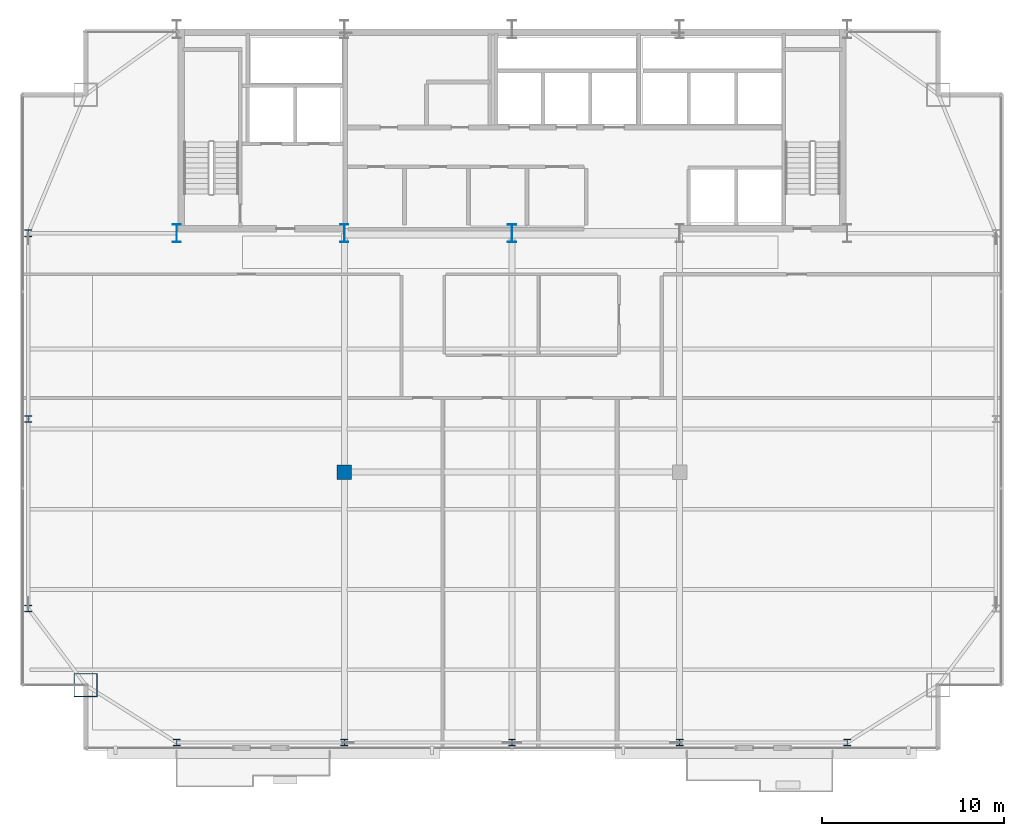
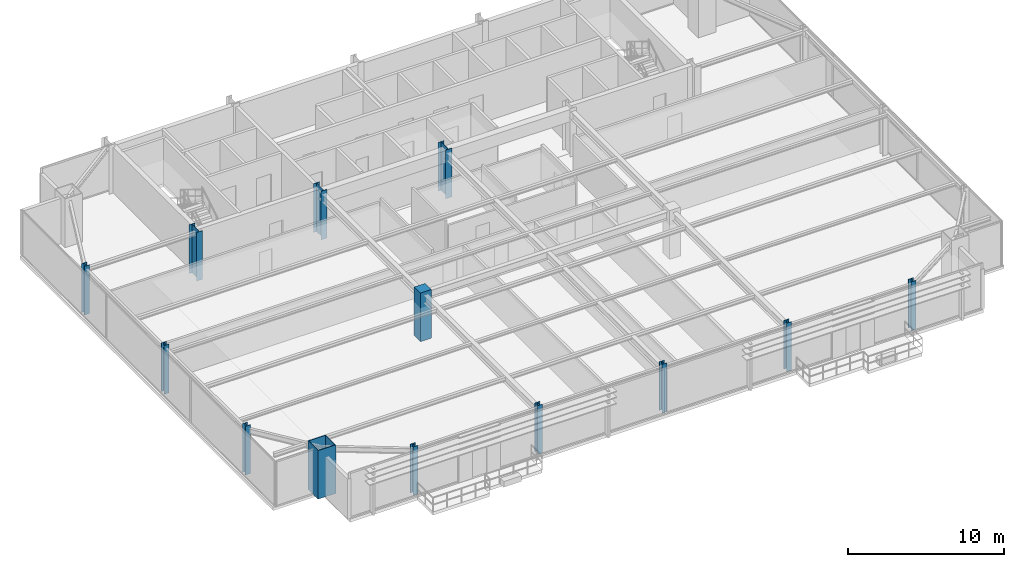
# One storey, part 1 of 31: 13 columns.
"""IFC4 building model written with IfcOpenShell, lengths in metres."""

from ifc_helpers import new_model, si_unit, direction, frame, origin, origin_2d, place, context, subcontext, project, spatial, rectangle, hollow_rectangle, i_section, extrude, source, transform, mapped, material, material_profile, profile_set, type_object, type_shapes, element, save


model = new_model("IFC4")

# Units and contexts
model_context = context("Model", 3, precision=1e-05, world=origin(), true_north=direction((0.0, 1.0)))
body_context = subcontext(model_context, "Body", "Model", "MODEL_VIEW")
ifc_project = project(units=[si_unit("LENGTHUNIT", "METRE"), si_unit("AREAUNIT", "SQUARE_METRE"), si_unit("VOLUMEUNIT", "CUBIC_METRE"), si_unit("PLANEANGLEUNIT", "RADIAN"), si_unit("MASSUNIT", "GRAM", prefix="KILO")], contexts=[model_context])

# Site, building, storey
site_placement = place(None, origin())
site = spatial("IfcSite", under=ifc_project, at=site_placement, CompositionType="ELEMENT")
building_placement = place(site_placement, origin())
building = spatial("IfcBuilding", under=site, at=building_placement, Name="Varnel Quay Broadcast Tower", CompositionType="ELEMENT")
storey_placement = place(building_placement, frame((0.0, 0.0, 157.199951171875)))
storey = spatial("IfcBuildingStorey", under=building, at=storey_placement, Name="L38", CompositionType="ELEMENT", Elevation=157.199951171875)

# Columns
ifc_material_1 = material(Name="Structural Steel CSA G40.21 350WT", Category="steel")
ifc_material_profile_1 = material_profile(ifc_material_1, i_section(OverallWidth=0.449951171875, OverallDepth=1.0, WebThickness=0.01611328125, FlangeThickness=0.030029296875, FilletRadius=0.01611328125, at=origin_2d()), Name="WWF1000X362")
ifc_profile_set_1 = profile_set([ifc_material_profile_1], Name="Structural Steel CSA G40.21 350WT")
column_type_1 = type_object("IfcColumnType", Name="Col_WWF1000X362", PredefinedType="COLUMN", material=ifc_profile_set_1)
shared_shape_1 = source(origin(), body_context, "Body", "SweptSolid", [
    extrude(i_section(OverallWidth=0.449951171875, OverallDepth=1.0, WebThickness=0.01611328125, FlangeThickness=0.030029296875, FilletRadius=0.01611328125, at=origin_2d()), origin(), (0.0, 0.0, 1.0), 3.800048828125),
])
type_shapes(column_type_1, [shared_shape_1])
for number, where, z_axis, x_axis, name in (
    (1, (15.60009765625, 35.60009765625, 0.0), (0.0, 0.0, 1.0), (1.0, 0.0, 0.0), "L38 Column CC-S1"),
    (2, (24.800048828125, 35.60009765625, 0.0), (0.0, 0.0, 1.0), (1.0, 0.0, 0.0), "L38 Column CC-S2"),
    (3, (34.0, 35.60009765625, 0.0), (0.0, 0.0, 1.0), (1.0, 0.0, 0.0), "L38 Column CC-S3"),
):
    element("IfcColumn", number, at=place(storey_placement, frame(where, z_axis=z_axis, x_axis=x_axis)), inside=storey, type_object=column_type_1, Name=name, PredefinedType="COLUMN", context=body_context, shape_type="MappedRepresentation", body=[
        mapped(shared_shape_1, transform((0.0, 0.0, 0.0), x_axis=(1.0, 0.0, 0.0), y_axis=(0.0, 1.0, 0.0), z_axis=(0.0, 0.0, 1.0), scale=1.0)),
    ])
ifc_material_profile_2 = material_profile(ifc_material_1, hollow_rectangle(XDim=1.300048828125, YDim=1.300048828125, WallThickness=0.050048828125, at=origin_2d()), Name="BOX1300X1300X50")
ifc_profile_set_2 = profile_set([ifc_material_profile_2], Name="Structural Steel CSA G40.21 350WT")
column_type_2 = type_object("IfcColumnType", Name="Col_BOX1300X1300X50", PredefinedType="COLUMN", material=ifc_profile_set_2)
shared_shape_2 = source(origin(), body_context, "Body", "SweptSolid", [
    extrude(hollow_rectangle(XDim=1.300048828125, YDim=1.300048828125, WallThickness=0.050048828125, at=origin_2d()), origin(), (0.0, 0.0, 1.0), 3.800048828125),
])
type_shapes(column_type_2, [shared_shape_2])
column_1_placement = place(storey_placement, frame((10.60009765625, 10.800048828125, 0.0), z_axis=(0.0, 0.0, 1.0), x_axis=(1.0, 0.0, 0.0)))
element("IfcColumn", 4, at=column_1_placement, inside=storey, type_object=column_type_2, Name="L38 Column MC-SW", PredefinedType="COLUMN", context=body_context, shape_type="MappedRepresentation", body=[
    mapped(shared_shape_2, transform((0.0, 0.0, 0.0), x_axis=(1.0, 0.0, 0.0), y_axis=(0.0, 1.0, 0.0), z_axis=(0.0, 0.0, 1.0), scale=1.0)),
])
ifc_material_2 = material(Name="Structural Steel CSA G40.21 350W", Category="steel")
ifc_material_profile_3 = material_profile(ifc_material_2, i_section(OverallWidth=0.3740234375, OverallDepth=0.3720703125, WebThickness=0.016357421875, FlangeThickness=0.026123046875, FilletRadius=0.01611328125, at=origin_2d()), Name="W360X196")
ifc_profile_set_3 = profile_set([ifc_material_profile_3], Name="Structural Steel CSA G40.21 350W")
column_type_3 = type_object("IfcColumnType", Name="Col_W360X196", PredefinedType="COLUMN", material=ifc_profile_set_3)
shared_shape_3 = source(origin(), body_context, "Body", "SweptSolid", [
    extrude(i_section(OverallWidth=0.3740234375, OverallDepth=0.3720703125, WebThickness=0.016357421875, FlangeThickness=0.026123046875, FilletRadius=0.01611328125, at=origin_2d()), origin(), (0.0, 0.0, 1.0), 3.800048828125),
])
type_shapes(column_type_3, [shared_shape_3])
for number, where, z_axis, x_axis, name in (
    (5, (15.60009765625, 7.64990234375, 0.0), (0.0, 0.0, 1.0), (1.0, 0.0, 0.0), "L38 Column TC-S1"),
    (6, (24.800048828125, 7.64990234375, 0.0), (0.0, 0.0, 1.0), (1.0, 0.0, 0.0), "L38 Column TC-S2"),
    (7, (34.0, 7.64990234375, 0.0), (0.0, 0.0, 1.0), (1.0, 0.0, 0.0), "L38 Column TC-S3"),
    (8, (43.199951171875, 7.64990234375, 0.0), (0.0, 0.0, 1.0), (1.0, 0.0, 0.0), "L38 Column TC-S4"),
    (9, (52.39990234375, 7.64990234375, 0.0), (0.0, 0.0, 1.0), (1.0, 0.0, 0.0), "L38 Column TC-S5"),
    (10, (7.449951171875, 15.0, 0.0), (0.0, 0.0, 1.0), (1.0, 0.0, 0.0), "L38 Column TC-W1"),
    (11, (7.449951171875, 25.39990234375, 0.0), (0.0, 0.0, 1.0), (1.0, 0.0, 0.0), "L38 Column TC-W2"),
    (12, (7.449951171875, 35.60009765625, 0.0), (0.0, 0.0, 1.0), (1.0, 0.0, 0.0), "L38 Column TC-W3"),
):
    element("IfcColumn", number, at=place(storey_placement, frame(where, z_axis=z_axis, x_axis=x_axis)), inside=storey, type_object=column_type_3, Name=name, PredefinedType="COLUMN", context=body_context, shape_type="MappedRepresentation", body=[
        mapped(shared_shape_3, transform((0.0, 0.0, 0.0), x_axis=(1.0, 0.0, 0.0), y_axis=(0.0, 1.0, 0.0), z_axis=(0.0, 0.0, 1.0), scale=1.0)),
    ])
ifc_material_3 = material(Name="Concrete CSA A23.3 C50/60", Category="concrete")
ifc_material_profile_4 = material_profile(ifc_material_3, rectangle(XDim=0.800048828125, YDim=0.800048828125, at=origin_2d()), Name="RC800X800")
ifc_profile_set_4 = profile_set([ifc_material_profile_4], Name="Concrete CSA A23.3 C50/60")
column_type_4 = type_object("IfcColumnType", Name="Col_RC800X800", PredefinedType="COLUMN", material=ifc_profile_set_4)
shared_shape_4 = source(origin(), body_context, "Body", "SweptSolid", [
    extrude(rectangle(XDim=0.800048828125, YDim=0.800048828125, at=origin_2d()), origin(), (0.0, 0.0, 1.0), 3.800048828125),
])
type_shapes(column_type_4, [shared_shape_4])
column_2_placement = place(storey_placement, frame((24.800048828125, 22.489990234375, 0.0), z_axis=(0.0, 0.0, 1.0), x_axis=(1.0, 0.0, 0.0)))
element("IfcColumn", 13, at=column_2_placement, inside=storey, type_object=column_type_4, Name="L38 Column IC-01", PredefinedType="COLUMN", context=body_context, shape_type="MappedRepresentation", body=[
    mapped(shared_shape_4, transform((0.0, 0.0, 0.0), x_axis=(1.0, 0.0, 0.0), y_axis=(0.0, 1.0, 0.0), z_axis=(0.0, 0.0, 1.0), scale=1.0)),
])

save(model, "model.ifc")
